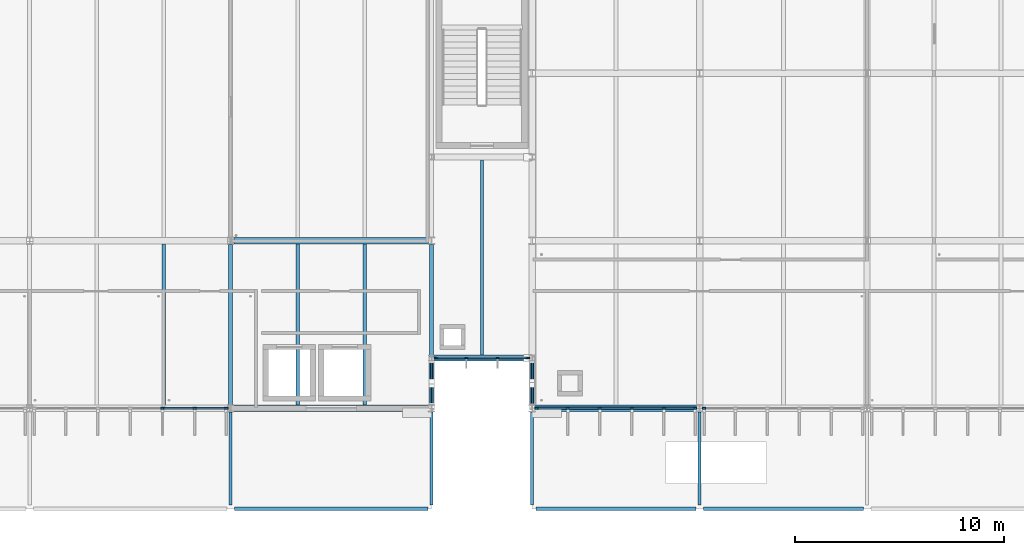
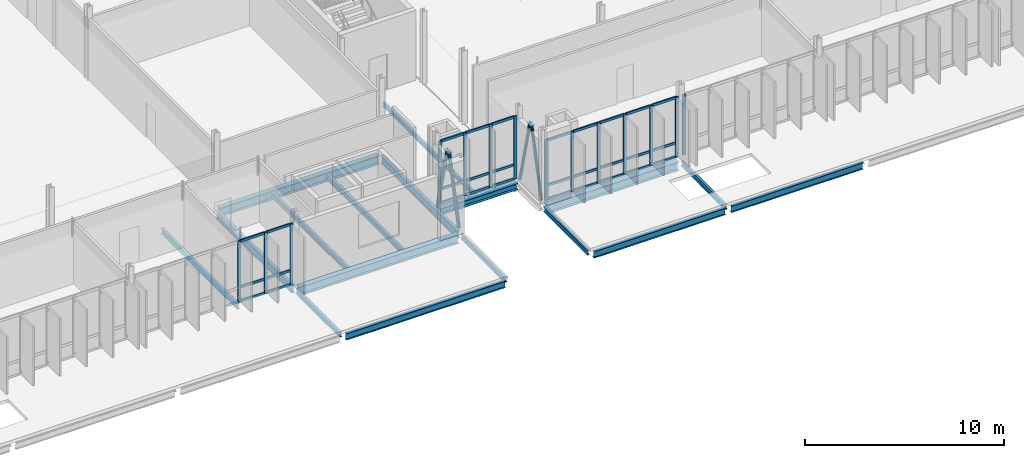
# One storey, part 26 of 107: 48 members, 17 beams, 4 elements without a shape of their own.
"""IFC4 building model written with IfcOpenShell, lengths in metres."""

from ifc_helpers import new_model, si_unit, direction, frame, origin, origin_2d, place, context, subcontext, project, spatial, rectangle, hollow_circle, i_section, extrude, material, material_profile, profile_set, type_object, element, aggregate, save


model = new_model("IFC4")

# Units and contexts
model_context = context("Model", 3, precision=1e-05, world=origin(), true_north=direction((0.0, 1.0)))
body_context = subcontext(model_context, "Body", "Model", "MODEL_VIEW")
ifc_project = project(units=[si_unit("LENGTHUNIT", "METRE"), si_unit("AREAUNIT", "SQUARE_METRE"), si_unit("VOLUMEUNIT", "CUBIC_METRE"), si_unit("PLANEANGLEUNIT", "RADIAN"), si_unit("MASSUNIT", "GRAM", prefix="KILO")], contexts=[model_context])

# Site, building, storey
site_placement = place(None, origin())
site = spatial("IfcSite", under=ifc_project, at=site_placement, CompositionType="ELEMENT")
building_placement = place(site_placement, origin())
building = spatial("IfcBuilding", under=site, at=building_placement, Name="Dunescarp Central Library", CompositionType="ELEMENT")
storey_placement = place(building_placement, frame((0.0, 0.0, 5.10009765625)))
storey = spatial("IfcBuildingStorey", under=building, at=storey_placement, Name="L01", CompositionType="ELEMENT", Elevation=5.10009765625)

# Curtain wall, members
ifc_material_1 = material(Name="Marine-grade anodised aluminium 6063-T6", Category="aluminium")
curtain_wall_type_1 = type_object("IfcCurtainWallType", Name="ARC-CW-STICK", PredefinedType="NOTDEFINED", material=ifc_material_1)
curtain_wall_1_placement = place(storey_placement, origin())
curtain_wall_1 = element("IfcCurtainWall", 1, at=curtain_wall_1_placement, inside=storey, type_object=curtain_wall_type_1, Name="L01 curtain wall CW-V2-050", PredefinedType="NOTDEFINED")
ifc_material_profile_1 = material_profile(ifc_material_1, rectangle(XDim=0.080078125, YDim=0.179931640625, at=origin_2d()), Name="AL 80x180")
ifc_profile_set_1 = profile_set([ifc_material_profile_1], Name="Marine-grade anodised aluminium 6063-T6")
member_type_1 = type_object("IfcMemberType", Name="ARC-CWM-180", PredefinedType="MULLION", material=ifc_profile_set_1)
member_1_placement = place(storey_placement, frame((66.985107421875, 4.800048828125, 0.0), z_axis=(0.0, 0.0, 1.0), x_axis=(0.0, -1.0, 0.0)))
member_1 = element("IfcMember", 2, at=member_1_placement, type_object=member_type_1, Name="CW-V2-050 mullion 1", PredefinedType="MULLION", context=body_context, shape_type="SweptSolid", body=[
    extrude(rectangle(XDim=0.080078125, YDim=0.179931640625, at=origin_2d()), origin(), (0.0, 0.0, 1.0), 3.764892578125),
])
member_2_placement = place(storey_placement, frame((65.4833984375, 4.800048828125, 0.0), z_axis=(0.0, 0.0, 1.0), x_axis=(0.0, -1.0, 0.0)))
member_2 = element("IfcMember", 3, at=member_2_placement, type_object=member_type_1, Name="CW-V2-050 mullion 2", PredefinedType="MULLION", context=body_context, shape_type="SweptSolid", body=[
    extrude(rectangle(XDim=0.080078125, YDim=0.179931640625, at=origin_2d()), origin(), (0.0, 0.0, 1.0), 3.764892578125),
])
member_3_placement = place(storey_placement, frame((63.941650390625, 4.800048828125, 0.0), z_axis=(0.0, 0.0, 1.0), x_axis=(0.0, -1.0, 0.0)))
member_3 = element("IfcMember", 4, at=member_3_placement, type_object=member_type_1, Name="CW-V2-050 mullion 3", PredefinedType="MULLION", context=body_context, shape_type="SweptSolid", body=[
    extrude(rectangle(XDim=0.080078125, YDim=0.179931640625, at=origin_2d()), origin(), (0.0, 0.0, 1.0), 3.764892578125),
])

curtain_wall_2_placement = place(storey_placement, origin())
curtain_wall_2 = element("IfcCurtainWall", 5, at=curtain_wall_2_placement, inside=storey, type_object=curtain_wall_type_1, Name="L01 curtain wall CW-V3-084", PredefinedType="NOTDEFINED")
member_4_placement = place(storey_placement, frame((89.385009765625, 4.800048828125, 0.0), z_axis=(0.0, 0.0, 1.0), x_axis=(0.0, -1.0, 0.0)))
member_4 = element("IfcMember", 6, at=member_4_placement, type_object=member_type_1, Name="CW-V3-084 mullion 1", PredefinedType="MULLION", context=body_context, shape_type="SweptSolid", body=[
    extrude(rectangle(XDim=0.080078125, YDim=0.179931640625, at=origin_2d()), origin(), (0.0, 0.0, 1.0), 3.71484375),
])
member_5_placement = place(storey_placement, frame((87.89501953125, 4.800048828125, 0.0), z_axis=(0.0, 0.0, 1.0), x_axis=(0.0, -1.0, 0.0)))
member_5 = element("IfcMember", 7, at=member_5_placement, type_object=member_type_1, Name="CW-V3-084 mullion 2", PredefinedType="MULLION", context=body_context, shape_type="SweptSolid", body=[
    extrude(rectangle(XDim=0.080078125, YDim=0.179931640625, at=origin_2d()), origin(), (0.0, 0.0, 1.0), 3.71484375),
])
member_6_placement = place(storey_placement, frame((86.364990234375, 4.800048828125, 0.0), z_axis=(0.0, 0.0, 1.0), x_axis=(0.0, -1.0, 0.0)))
member_6 = element("IfcMember", 8, at=member_6_placement, type_object=member_type_1, Name="CW-V3-084 mullion 3", PredefinedType="MULLION", context=body_context, shape_type="SweptSolid", body=[
    extrude(rectangle(XDim=0.080078125, YDim=0.179931640625, at=origin_2d()), origin(), (0.0, 0.0, 1.0), 3.71484375),
])
member_7_placement = place(storey_placement, frame((84.8349609375, 4.800048828125, 0.0), z_axis=(0.0, 0.0, 1.0), x_axis=(0.0, -1.0, 0.0)))
member_7 = element("IfcMember", 9, at=member_7_placement, type_object=member_type_1, Name="CW-V3-084 mullion 4", PredefinedType="MULLION", context=body_context, shape_type="SweptSolid", body=[
    extrude(rectangle(XDim=0.080078125, YDim=0.179931640625, at=origin_2d()), origin(), (0.0, 0.0, 1.0), 3.71484375),
])
member_8_placement = place(storey_placement, frame((83.304931640625, 4.800048828125, 0.0), z_axis=(0.0, 0.0, 1.0), x_axis=(0.0, -1.0, 0.0)))
member_8 = element("IfcMember", 10, at=member_8_placement, type_object=member_type_1, Name="CW-V3-084 mullion 5", PredefinedType="MULLION", context=body_context, shape_type="SweptSolid", body=[
    extrude(rectangle(XDim=0.080078125, YDim=0.179931640625, at=origin_2d()), origin(), (0.0, 0.0, 1.0), 3.71484375),
])
member_9_placement = place(storey_placement, frame((81.81494140625, 4.800048828125, 0.0), z_axis=(0.0, 0.0, 1.0), x_axis=(0.0, -1.0, 0.0)))
member_9 = element("IfcMember", 11, at=member_9_placement, type_object=member_type_1, Name="CW-V3-084 mullion 6", PredefinedType="MULLION", context=body_context, shape_type="SweptSolid", body=[
    extrude(rectangle(XDim=0.080078125, YDim=0.179931640625, at=origin_2d()), origin(), (0.0, 0.0, 1.0), 3.71484375),
])

# Curtain wall, member
curtain_wall_3_placement = place(storey_placement, origin())
curtain_wall_3 = element("IfcCurtainWall", 12, at=curtain_wall_3_placement, inside=storey, type_object=curtain_wall_type_1, Name="L01 curtain wall CW-V3-085", PredefinedType="NOTDEFINED")
member_10_placement = place(storey_placement, frame((89.81494140625, 4.800048828125, 0.0), z_axis=(0.0, 0.0, 1.0), x_axis=(0.0, -1.0, 0.0)))
member_10 = element("IfcMember", 13, at=member_10_placement, type_object=member_type_1, Name="CW-V3-085 mullion 6", PredefinedType="MULLION", context=body_context, shape_type="SweptSolid", body=[
    extrude(rectangle(XDim=0.080078125, YDim=0.179931640625, at=origin_2d()), origin(), (0.0, 0.0, 1.0), 3.71484375),
])
aggregate(curtain_wall_3, [member_10])

# Curtain wall, members
curtain_wall_type_2 = type_object("IfcCurtainWallType", Name="ARC-CW-LINK", PredefinedType="USERDEFINED", material=ifc_material_1)
curtain_wall_4_placement = place(storey_placement, origin())
curtain_wall_4 = element("IfcCurtainWall", 14, at=curtain_wall_4_placement, inside=storey, type_object=curtain_wall_type_2, Name="L01 curtain wall CW-GL2-S-L01", ObjectType="GLAZED_LINK_WALL", PredefinedType="USERDEFINED")
member_11_placement = place(storey_placement, frame((81.385009765625, 7.199951171875, 0.0), z_axis=(0.0, 0.0, 1.0), x_axis=(0.0, -1.0, 0.0)))
member_11 = element("IfcMember", 15, at=member_11_placement, type_object=member_type_1, Name="CW-GL2-S-L01 mullion 1", PredefinedType="MULLION", context=body_context, shape_type="SweptSolid", body=[
    extrude(rectangle(XDim=0.080078125, YDim=0.179931640625, at=origin_2d()), origin(), (0.0, 0.0, 1.0), 3.875),
])
member_12_placement = place(storey_placement, frame((79.941650390625, 7.199951171875, 0.0), z_axis=(0.0, 0.0, 1.0), x_axis=(0.0, -1.0, 0.0)))
member_12 = element("IfcMember", 16, at=member_12_placement, type_object=member_type_1, Name="CW-GL2-S-L01 mullion 2", PredefinedType="MULLION", context=body_context, shape_type="SweptSolid", body=[
    extrude(rectangle(XDim=0.080078125, YDim=0.179931640625, at=origin_2d()), origin(), (0.0, 0.0, 1.0), 3.875),
])
member_13_placement = place(storey_placement, frame((78.458251953125, 7.199951171875, 0.0), z_axis=(0.0, 0.0, 1.0), x_axis=(0.0, -1.0, 0.0)))
member_13 = element("IfcMember", 17, at=member_13_placement, type_object=member_type_1, Name="CW-GL2-S-L01 mullion 3", PredefinedType="MULLION", context=body_context, shape_type="SweptSolid", body=[
    extrude(rectangle(XDim=0.080078125, YDim=0.179931640625, at=origin_2d()), origin(), (0.0, 0.0, 1.0), 3.875),
])
member_14_placement = place(storey_placement, frame((77.014892578125, 7.199951171875, 0.0), z_axis=(0.0, 0.0, 1.0), x_axis=(0.0, -1.0, 0.0)))
member_14 = element("IfcMember", 18, at=member_14_placement, type_object=member_type_1, Name="CW-GL2-S-L01 mullion 4", PredefinedType="MULLION", context=body_context, shape_type="SweptSolid", body=[
    extrude(rectangle(XDim=0.080078125, YDim=0.179931640625, at=origin_2d()), origin(), (0.0, 0.0, 1.0), 3.875),
])

# Member
ifc_material_profile_2 = material_profile(ifc_material_1, rectangle(XDim=0.080078125, YDim=0.14990234375, at=origin_2d()), Name="AL 80x150")
ifc_profile_set_2 = profile_set([ifc_material_profile_2], Name="Marine-grade anodised aluminium 6063-T6")
member_type_2 = type_object("IfcMemberType", Name="ARC-CWT-150", PredefinedType="USERDEFINED", material=ifc_profile_set_2)
member_15_placement = place(storey_placement, frame((66.945068359375, 4.800048828125, 0.039794921875), z_axis=(-1.0, 0.0, 0.0), x_axis=(0.0, -1.0, 0.0)))
member_15 = element("IfcMember", 19, at=member_15_placement, type_object=member_type_2, Name="CW-V2-050 transom 1.1", ObjectType="TRANSOM", PredefinedType="USERDEFINED", context=body_context, shape_type="SweptSolid", body=[
    extrude(rectangle(XDim=0.080078125, YDim=0.14990234375, at=origin_2d()), origin(), (0.0, 0.0, 1.0), 1.421630859375),
])

member_16_placement = place(storey_placement, frame((66.945068359375, 4.800048828125, 0.89990234375), z_axis=(-1.0, 0.0, 0.0), x_axis=(0.0, -1.0, 0.0)))
member_16 = element("IfcMember", 20, at=member_16_placement, type_object=member_type_2, Name="CW-V2-050 transom 1.2", ObjectType="TRANSOM", PredefinedType="USERDEFINED", context=body_context, shape_type="SweptSolid", body=[
    extrude(rectangle(XDim=0.080078125, YDim=0.14990234375, at=origin_2d()), origin(), (0.0, 0.0, 1.0), 1.421630859375),
])

member_17_placement = place(storey_placement, frame((66.945068359375, 4.800048828125, 3.724853515625), z_axis=(-1.0, 0.0, 0.0), x_axis=(0.0, -1.0, 0.0)))
member_17 = element("IfcMember", 21, at=member_17_placement, type_object=member_type_2, Name="CW-V2-050 transom 1.3", ObjectType="TRANSOM", PredefinedType="USERDEFINED", context=body_context, shape_type="SweptSolid", body=[
    extrude(rectangle(XDim=0.080078125, YDim=0.14990234375, at=origin_2d()), origin(), (0.0, 0.0, 1.0), 1.421630859375),
])

member_18_placement = place(storey_placement, frame((65.443359375, 4.800048828125, 0.039794921875), z_axis=(-1.0, 0.0, 0.0), x_axis=(0.0, -1.0, 0.0)))
member_18 = element("IfcMember", 22, at=member_18_placement, type_object=member_type_2, Name="CW-V2-050 transom 2.1", ObjectType="TRANSOM", PredefinedType="USERDEFINED", context=body_context, shape_type="SweptSolid", body=[
    extrude(rectangle(XDim=0.080078125, YDim=0.14990234375, at=origin_2d()), origin(), (0.0, 0.0, 1.0), 1.461669921875),
])

member_19_placement = place(storey_placement, frame((65.443359375, 4.800048828125, 0.89990234375), z_axis=(-1.0, 0.0, 0.0), x_axis=(0.0, -1.0, 0.0)))
member_19 = element("IfcMember", 23, at=member_19_placement, type_object=member_type_2, Name="CW-V2-050 transom 2.2", ObjectType="TRANSOM", PredefinedType="USERDEFINED", context=body_context, shape_type="SweptSolid", body=[
    extrude(rectangle(XDim=0.080078125, YDim=0.14990234375, at=origin_2d()), origin(), (0.0, 0.0, 1.0), 1.461669921875),
])

member_20_placement = place(storey_placement, frame((65.443359375, 4.800048828125, 3.724853515625), z_axis=(-1.0, 0.0, 0.0), x_axis=(0.0, -1.0, 0.0)))
member_20 = element("IfcMember", 24, at=member_20_placement, type_object=member_type_2, Name="CW-V2-050 transom 2.3", ObjectType="TRANSOM", PredefinedType="USERDEFINED", context=body_context, shape_type="SweptSolid", body=[
    extrude(rectangle(XDim=0.080078125, YDim=0.14990234375, at=origin_2d()), origin(), (0.0, 0.0, 1.0), 1.461669921875),
])

aggregate(curtain_wall_1, [member_1, member_2, member_3, member_15, member_16, member_17, member_18, member_19, member_20])

member_21_placement = place(storey_placement, frame((89.344970703125, 4.800048828125, 0.039794921875), z_axis=(-1.0, 0.0, 0.0), x_axis=(0.0, -1.0, 0.0)))
member_21 = element("IfcMember", 25, at=member_21_placement, type_object=member_type_2, Name="CW-V3-084 transom 1.1", ObjectType="TRANSOM", PredefinedType="USERDEFINED", context=body_context, shape_type="SweptSolid", body=[
    extrude(rectangle(XDim=0.080078125, YDim=0.14990234375, at=origin_2d()), origin(), (0.0, 0.0, 1.0), 1.409912109375),
])

member_22_placement = place(storey_placement, frame((89.344970703125, 4.800048828125, 0.89990234375), z_axis=(-1.0, 0.0, 0.0), x_axis=(0.0, -1.0, 0.0)))
member_22 = element("IfcMember", 26, at=member_22_placement, type_object=member_type_2, Name="CW-V3-084 transom 1.2", ObjectType="TRANSOM", PredefinedType="USERDEFINED", context=body_context, shape_type="SweptSolid", body=[
    extrude(rectangle(XDim=0.080078125, YDim=0.14990234375, at=origin_2d()), origin(), (0.0, 0.0, 1.0), 1.409912109375),
])

member_23_placement = place(storey_placement, frame((89.344970703125, 4.800048828125, 3.6748046875), z_axis=(-1.0, 0.0, 0.0), x_axis=(0.0, -1.0, 0.0)))
member_23 = element("IfcMember", 27, at=member_23_placement, type_object=member_type_2, Name="CW-V3-084 transom 1.3", ObjectType="TRANSOM", PredefinedType="USERDEFINED", context=body_context, shape_type="SweptSolid", body=[
    extrude(rectangle(XDim=0.080078125, YDim=0.14990234375, at=origin_2d()), origin(), (0.0, 0.0, 1.0), 1.409912109375),
])

member_24_placement = place(storey_placement, frame((87.85498046875, 4.800048828125, 0.039794921875), z_axis=(-1.0, 0.0, 0.0), x_axis=(0.0, -1.0, 0.0)))
member_24 = element("IfcMember", 28, at=member_24_placement, type_object=member_type_2, Name="CW-V3-084 transom 2.1", ObjectType="TRANSOM", PredefinedType="USERDEFINED", context=body_context, shape_type="SweptSolid", body=[
    extrude(rectangle(XDim=0.080078125, YDim=0.14990234375, at=origin_2d()), origin(), (0.0, 0.0, 1.0), 1.449951171875),
])

member_25_placement = place(storey_placement, frame((87.85498046875, 4.800048828125, 0.89990234375), z_axis=(-1.0, 0.0, 0.0), x_axis=(0.0, -1.0, 0.0)))
member_25 = element("IfcMember", 29, at=member_25_placement, type_object=member_type_2, Name="CW-V3-084 transom 2.2", ObjectType="TRANSOM", PredefinedType="USERDEFINED", context=body_context, shape_type="SweptSolid", body=[
    extrude(rectangle(XDim=0.080078125, YDim=0.14990234375, at=origin_2d()), origin(), (0.0, 0.0, 1.0), 1.449951171875),
])

member_26_placement = place(storey_placement, frame((87.85498046875, 4.800048828125, 3.6748046875), z_axis=(-1.0, 0.0, 0.0), x_axis=(0.0, -1.0, 0.0)))
member_26 = element("IfcMember", 30, at=member_26_placement, type_object=member_type_2, Name="CW-V3-084 transom 2.3", ObjectType="TRANSOM", PredefinedType="USERDEFINED", context=body_context, shape_type="SweptSolid", body=[
    extrude(rectangle(XDim=0.080078125, YDim=0.14990234375, at=origin_2d()), origin(), (0.0, 0.0, 1.0), 1.449951171875),
])

member_27_placement = place(storey_placement, frame((86.324951171875, 4.800048828125, 0.039794921875), z_axis=(-1.0, 0.0, 0.0), x_axis=(0.0, -1.0, 0.0)))
member_27 = element("IfcMember", 31, at=member_27_placement, type_object=member_type_2, Name="CW-V3-084 transom 3.1", ObjectType="TRANSOM", PredefinedType="USERDEFINED", context=body_context, shape_type="SweptSolid", body=[
    extrude(rectangle(XDim=0.080078125, YDim=0.14990234375, at=origin_2d()), origin(), (0.0, 0.0, 1.0), 1.449951171875),
])

member_28_placement = place(storey_placement, frame((86.324951171875, 4.800048828125, 0.89990234375), z_axis=(-1.0, 0.0, 0.0), x_axis=(0.0, -1.0, 0.0)))
member_28 = element("IfcMember", 32, at=member_28_placement, type_object=member_type_2, Name="CW-V3-084 transom 3.2", ObjectType="TRANSOM", PredefinedType="USERDEFINED", context=body_context, shape_type="SweptSolid", body=[
    extrude(rectangle(XDim=0.080078125, YDim=0.14990234375, at=origin_2d()), origin(), (0.0, 0.0, 1.0), 1.449951171875),
])

member_29_placement = place(storey_placement, frame((86.324951171875, 4.800048828125, 3.6748046875), z_axis=(-1.0, 0.0, 0.0), x_axis=(0.0, -1.0, 0.0)))
member_29 = element("IfcMember", 33, at=member_29_placement, type_object=member_type_2, Name="CW-V3-084 transom 3.3", ObjectType="TRANSOM", PredefinedType="USERDEFINED", context=body_context, shape_type="SweptSolid", body=[
    extrude(rectangle(XDim=0.080078125, YDim=0.14990234375, at=origin_2d()), origin(), (0.0, 0.0, 1.0), 1.449951171875),
])

member_30_placement = place(storey_placement, frame((84.794921875, 4.800048828125, 0.039794921875), z_axis=(-1.0, 0.0, 0.0), x_axis=(0.0, -1.0, 0.0)))
member_30 = element("IfcMember", 34, at=member_30_placement, type_object=member_type_2, Name="CW-V3-084 transom 4.1", ObjectType="TRANSOM", PredefinedType="USERDEFINED", context=body_context, shape_type="SweptSolid", body=[
    extrude(rectangle(XDim=0.080078125, YDim=0.14990234375, at=origin_2d()), origin(), (0.0, 0.0, 1.0), 1.449951171875),
])

member_31_placement = place(storey_placement, frame((84.794921875, 4.800048828125, 0.89990234375), z_axis=(-1.0, 0.0, 0.0), x_axis=(0.0, -1.0, 0.0)))
member_31 = element("IfcMember", 35, at=member_31_placement, type_object=member_type_2, Name="CW-V3-084 transom 4.2", ObjectType="TRANSOM", PredefinedType="USERDEFINED", context=body_context, shape_type="SweptSolid", body=[
    extrude(rectangle(XDim=0.080078125, YDim=0.14990234375, at=origin_2d()), origin(), (0.0, 0.0, 1.0), 1.449951171875),
])

member_32_placement = place(storey_placement, frame((84.794921875, 4.800048828125, 3.6748046875), z_axis=(-1.0, 0.0, 0.0), x_axis=(0.0, -1.0, 0.0)))
member_32 = element("IfcMember", 36, at=member_32_placement, type_object=member_type_2, Name="CW-V3-084 transom 4.3", ObjectType="TRANSOM", PredefinedType="USERDEFINED", context=body_context, shape_type="SweptSolid", body=[
    extrude(rectangle(XDim=0.080078125, YDim=0.14990234375, at=origin_2d()), origin(), (0.0, 0.0, 1.0), 1.449951171875),
])

member_33_placement = place(storey_placement, frame((83.264892578125, 4.800048828125, 0.039794921875), z_axis=(-1.0, 0.0, 0.0), x_axis=(0.0, -1.0, 0.0)))
member_33 = element("IfcMember", 37, at=member_33_placement, type_object=member_type_2, Name="CW-V3-084 transom 5.1", ObjectType="TRANSOM", PredefinedType="USERDEFINED", context=body_context, shape_type="SweptSolid", body=[
    extrude(rectangle(XDim=0.080078125, YDim=0.14990234375, at=origin_2d()), origin(), (0.0, 0.0, 1.0), 1.409912109375),
])

member_34_placement = place(storey_placement, frame((83.264892578125, 4.800048828125, 0.89990234375), z_axis=(-1.0, 0.0, 0.0), x_axis=(0.0, -1.0, 0.0)))
member_34 = element("IfcMember", 38, at=member_34_placement, type_object=member_type_2, Name="CW-V3-084 transom 5.2", ObjectType="TRANSOM", PredefinedType="USERDEFINED", context=body_context, shape_type="SweptSolid", body=[
    extrude(rectangle(XDim=0.080078125, YDim=0.14990234375, at=origin_2d()), origin(), (0.0, 0.0, 1.0), 1.409912109375),
])

member_35_placement = place(storey_placement, frame((83.264892578125, 4.800048828125, 3.6748046875), z_axis=(-1.0, 0.0, 0.0), x_axis=(0.0, -1.0, 0.0)))
member_35 = element("IfcMember", 39, at=member_35_placement, type_object=member_type_2, Name="CW-V3-084 transom 5.3", ObjectType="TRANSOM", PredefinedType="USERDEFINED", context=body_context, shape_type="SweptSolid", body=[
    extrude(rectangle(XDim=0.080078125, YDim=0.14990234375, at=origin_2d()), origin(), (0.0, 0.0, 1.0), 1.409912109375),
])

aggregate(curtain_wall_2, [member_4, member_5, member_6, member_7, member_8, member_9, member_21, member_22, member_23, member_24, member_25, member_26, member_27, member_28, member_29, member_30, member_31, member_32, member_33, member_34, member_35])

member_36_placement = place(storey_placement, frame((81.344970703125, 7.199951171875, 0.039794921875), z_axis=(-1.0, 0.0, 0.0), x_axis=(0.0, -1.0, 0.0)))
member_36 = element("IfcMember", 40, at=member_36_placement, type_object=member_type_2, Name="CW-GL2-S-L01 transom 1.1", ObjectType="TRANSOM", PredefinedType="USERDEFINED", context=body_context, shape_type="SweptSolid", body=[
    extrude(rectangle(XDim=0.080078125, YDim=0.14990234375, at=origin_2d()), origin(), (0.0, 0.0, 1.0), 1.36328125),
])

member_37_placement = place(storey_placement, frame((81.344970703125, 7.199951171875, 0.89990234375), z_axis=(-1.0, 0.0, 0.0), x_axis=(0.0, -1.0, 0.0)))
member_37 = element("IfcMember", 41, at=member_37_placement, type_object=member_type_2, Name="CW-GL2-S-L01 transom 1.2", ObjectType="TRANSOM", PredefinedType="USERDEFINED", context=body_context, shape_type="SweptSolid", body=[
    extrude(rectangle(XDim=0.080078125, YDim=0.14990234375, at=origin_2d()), origin(), (0.0, 0.0, 1.0), 1.36328125),
])

member_38_placement = place(storey_placement, frame((81.344970703125, 7.199951171875, 3.8349609375), z_axis=(-1.0, 0.0, 0.0), x_axis=(0.0, -1.0, 0.0)))
member_38 = element("IfcMember", 42, at=member_38_placement, type_object=member_type_2, Name="CW-GL2-S-L01 transom 1.3", ObjectType="TRANSOM", PredefinedType="USERDEFINED", context=body_context, shape_type="SweptSolid", body=[
    extrude(rectangle(XDim=0.080078125, YDim=0.14990234375, at=origin_2d()), origin(), (0.0, 0.0, 1.0), 1.36328125),
])

member_39_placement = place(storey_placement, frame((79.901611328125, 7.199951171875, 0.039794921875), z_axis=(-1.0, 0.0, 0.0), x_axis=(0.0, -1.0, 0.0)))
member_39 = element("IfcMember", 43, at=member_39_placement, type_object=member_type_2, Name="CW-GL2-S-L01 transom 2.1", ObjectType="TRANSOM", PredefinedType="USERDEFINED", context=body_context, shape_type="SweptSolid", body=[
    extrude(rectangle(XDim=0.080078125, YDim=0.14990234375, at=origin_2d()), origin(), (0.0, 0.0, 1.0), 1.4033203125),
])

member_40_placement = place(storey_placement, frame((79.901611328125, 7.199951171875, 0.89990234375), z_axis=(-1.0, 0.0, 0.0), x_axis=(0.0, -1.0, 0.0)))
member_40 = element("IfcMember", 44, at=member_40_placement, type_object=member_type_2, Name="CW-GL2-S-L01 transom 2.2", ObjectType="TRANSOM", PredefinedType="USERDEFINED", context=body_context, shape_type="SweptSolid", body=[
    extrude(rectangle(XDim=0.080078125, YDim=0.14990234375, at=origin_2d()), origin(), (0.0, 0.0, 1.0), 1.4033203125),
])

member_41_placement = place(storey_placement, frame((79.901611328125, 7.199951171875, 3.8349609375), z_axis=(-1.0, 0.0, 0.0), x_axis=(0.0, -1.0, 0.0)))
member_41 = element("IfcMember", 45, at=member_41_placement, type_object=member_type_2, Name="CW-GL2-S-L01 transom 2.3", ObjectType="TRANSOM", PredefinedType="USERDEFINED", context=body_context, shape_type="SweptSolid", body=[
    extrude(rectangle(XDim=0.080078125, YDim=0.14990234375, at=origin_2d()), origin(), (0.0, 0.0, 1.0), 1.4033203125),
])

member_42_placement = place(storey_placement, frame((78.418212890625, 7.199951171875, 0.039794921875), z_axis=(-1.0, 0.0, 0.0), x_axis=(0.0, -1.0, 0.0)))
member_42 = element("IfcMember", 46, at=member_42_placement, type_object=member_type_2, Name="CW-GL2-S-L01 transom 3.1", ObjectType="TRANSOM", PredefinedType="USERDEFINED", context=body_context, shape_type="SweptSolid", body=[
    extrude(rectangle(XDim=0.080078125, YDim=0.14990234375, at=origin_2d()), origin(), (0.0, 0.0, 1.0), 1.36328125),
])

member_43_placement = place(storey_placement, frame((78.418212890625, 7.199951171875, 0.89990234375), z_axis=(-1.0, 0.0, 0.0), x_axis=(0.0, -1.0, 0.0)))
member_43 = element("IfcMember", 47, at=member_43_placement, type_object=member_type_2, Name="CW-GL2-S-L01 transom 3.2", ObjectType="TRANSOM", PredefinedType="USERDEFINED", context=body_context, shape_type="SweptSolid", body=[
    extrude(rectangle(XDim=0.080078125, YDim=0.14990234375, at=origin_2d()), origin(), (0.0, 0.0, 1.0), 1.36328125),
])

member_44_placement = place(storey_placement, frame((78.418212890625, 7.199951171875, 3.8349609375), z_axis=(-1.0, 0.0, 0.0), x_axis=(0.0, -1.0, 0.0)))
member_44 = element("IfcMember", 48, at=member_44_placement, type_object=member_type_2, Name="CW-GL2-S-L01 transom 3.3", ObjectType="TRANSOM", PredefinedType="USERDEFINED", context=body_context, shape_type="SweptSolid", body=[
    extrude(rectangle(XDim=0.080078125, YDim=0.14990234375, at=origin_2d()), origin(), (0.0, 0.0, 1.0), 1.36328125),
])

aggregate(curtain_wall_4, [member_11, member_12, member_13, member_14, member_36, member_37, member_38, member_39, member_40, member_41, member_42, member_43, member_44])

# Beams
ifc_material_2 = material(Name="Steel S355JR", Category="steel")
ifc_material_profile_3 = material_profile(ifc_material_2, i_section(OverallWidth=0.300048828125, OverallDepth=0.389892578125, WebThickness=0.010986328125, FlangeThickness=0.01904296875, at=origin_2d()), Name="HEA 400")
ifc_profile_set_3 = profile_set([ifc_material_profile_3], Name="Steel S355JR")
beam_type_1 = type_object("IfcBeamType", Name="STR-BM-HEA400", PredefinedType="BEAM", material=ifc_profile_set_3)
beam_1_placement = place(storey_placement, frame((76.927978515625, 7.199951171875, -0.4150390625), z_axis=(1.0, 0.0, 0.0), x_axis=(0.0, 1.0, 0.0)))
element("IfcBeam", 49, at=beam_1_placement, inside=storey, type_object=beam_type_1, Name="L01 girder BM-L01-1241", PredefinedType="BEAM", context=body_context, shape_type="SweptSolid", body=[
    extrude(i_section(OverallWidth=0.300048828125, OverallDepth=0.389892578125, WebThickness=0.010986328125, FlangeThickness=0.01904296875, at=origin_2d()), origin(), (0.0, 0.0, 1.0), 4.5439453125),
])
ifc_material_profile_4 = material_profile(ifc_material_2, i_section(OverallWidth=0.300048828125, OverallDepth=0.550048828125, WebThickness=0.014892578125, FlangeThickness=0.029052734375, at=origin_2d()), Name="HEB 550")
ifc_profile_set_4 = profile_set([ifc_material_profile_4], Name="Steel S355JR")
beam_type_2 = type_object("IfcBeamType", Name="STR-BM-HEB550", PredefinedType="BEAM", material=ifc_profile_set_4)
beam_2_placement = place(storey_placement, frame((81.75390625, 4.800048828125, -0.4951171875), z_axis=(1.0, 0.0, 0.0), x_axis=(0.0, 1.0, 0.0)))
element("IfcBeam", 50, at=beam_2_placement, inside=storey, type_object=beam_type_2, Name="L01 girder BM-L01-0655", PredefinedType="BEAM", context=body_context, shape_type="SweptSolid", body=[
    extrude(i_section(OverallWidth=0.300048828125, OverallDepth=0.550048828125, WebThickness=0.014892578125, FlangeThickness=0.029052734375, at=origin_2d()), origin(), (0.0, 0.0, 1.0), 7.692138671875),
])
ifc_material_profile_5 = material_profile(ifc_material_2, i_section(OverallWidth=0.19287109375, OverallDepth=0.46728515625, WebThickness=0.011474609375, FlangeThickness=0.01953125, at=origin_2d()), Name="UB 457x191x98")
ifc_profile_set_5 = profile_set([ifc_material_profile_5], Name="Steel S355JR")
beam_type_3 = type_object("IfcBeamType", Name="STR-BM-IPE450", PredefinedType="BEAM", material=ifc_profile_set_5)
for number, where, z_axis, x_axis, name in (
    (51, (67.199951171875, 4.967041015625, -0.4541015625), (0.0, 1.0, 0.0), (-1.0, 0.0, 0.0), "L01 girder BM-L01-0371"),
    (52, (76.800048828125, 4.967041015625, -0.4541015625), (0.0, 1.0, 0.0), (-1.0, 0.0, 0.0), "L01 girder BM-L01-0388"),
):
    element("IfcBeam", number, at=place(storey_placement, frame(where, z_axis=z_axis, x_axis=x_axis)), inside=storey, type_object=beam_type_3, Name=name, PredefinedType="BEAM", context=body_context, shape_type="SweptSolid", body=[
        extrude(i_section(OverallWidth=0.19287109375, OverallDepth=0.46728515625, WebThickness=0.011474609375, FlangeThickness=0.01953125, at=origin_2d()), origin(), (0.0, 0.0, 1.0), 7.666015625),
    ])
ifc_material_profile_6 = material_profile(ifc_material_2, i_section(OverallWidth=0.300048828125, OverallDepth=0.5400390625, WebThickness=0.012451171875, FlangeThickness=0.02392578125, at=origin_2d()), Name="HEA 550")
ifc_profile_set_6 = profile_set([ifc_material_profile_6], Name="Steel S355JR")
beam_type_4 = type_object("IfcBeamType", Name="STR-BM-IPE500", PredefinedType="BEAM", material=ifc_profile_set_6)
for number, where, z_axis, x_axis, name in (
    (53, (67.35400390625, 4.800048828125, -0.489990234375), (1.0, 0.0, 0.0), (0.0, 1.0, 0.0), "L01 girder BM-L01-0386"),
    (54, (67.35400390625, 12.800048828125, -0.489990234375), (1.0, 0.0, 0.0), (0.0, 1.0, 0.0), "L01 girder BM-L01-0387"),
):
    element("IfcBeam", number, at=place(storey_placement, frame(where, z_axis=z_axis, x_axis=x_axis)), inside=storey, type_object=beam_type_4, Name=name, PredefinedType="BEAM", context=body_context, shape_type="SweptSolid", body=[
        extrude(i_section(OverallWidth=0.300048828125, OverallDepth=0.5400390625, WebThickness=0.012451171875, FlangeThickness=0.02392578125, at=origin_2d()), origin(), (0.0, 0.0, 1.0), 9.2919921875),
    ])

# Members
ifc_material_3 = material(Name="Steel S355J0", Category="steel")
ifc_material_profile_7 = material_profile(ifc_material_3, hollow_circle(Radius=0.084228515625, WallThickness=0.008056640625, at=origin_2d()), Name="CHS 168.3x8")
ifc_profile_set_7 = profile_set([ifc_material_profile_7], Name="Steel S355J0")
member_type_3 = type_object("IfcMemberType", Name="STR-BR-168", PredefinedType="BRACE", material=ifc_profile_set_7)
for number, where, z_axis, x_axis, name in (
    (55, (81.60009765625, 4.919921875, 0.0), (0.0, 0.23972532699, 0.970840752956), (-1.0, 0.0, 0.0), "L01 concentric brace BR-L01-035"),
    (56, (81.60009765625, 7.080078125, 0.0), (0.0, -0.23972532699, 0.970840752956), (1.0, 0.0, 0.0), "L01 concentric brace BR-L01-036"),
):
    element("IfcMember", number, at=place(storey_placement, frame(where, z_axis=z_axis, x_axis=x_axis)), inside=storey, type_object=member_type_3, Name=name, PredefinedType="BRACE", context=body_context, shape_type="SweptSolid", body=[
        extrude(hollow_circle(Radius=0.084228515625, WallThickness=0.008056640625, at=origin_2d()), origin(), (0.0, 0.0, 1.0), 4.17138671875),
    ])
ifc_material_profile_8 = material_profile(ifc_material_3, hollow_circle(Radius=0.096923828125, WallThickness=0.010009765625, at=origin_2d()), Name="CHS 193.7x10")
ifc_profile_set_8 = profile_set([ifc_material_profile_8], Name="Steel S355J0")
member_type_4 = type_object("IfcMemberType", Name="STR-BR-193", PredefinedType="BRACE", material=ifc_profile_set_8)
for number, where, z_axis, x_axis, name in (
    (57, (76.800048828125, 4.919921875, 0.0), (0.0, 0.23972532699, 0.970840752956), (-1.0, 0.0, 0.0), "L01 concentric brace BR-L01-025"),
    (58, (76.800048828125, 7.080078125, 0.0), (0.0, -0.23972532699, 0.970840752956), (1.0, 0.0, 0.0), "L01 concentric brace BR-L01-026"),
):
    element("IfcMember", number, at=place(storey_placement, frame(where, z_axis=z_axis, x_axis=x_axis)), inside=storey, type_object=member_type_4, Name=name, PredefinedType="BRACE", context=body_context, shape_type="SweptSolid", body=[
        extrude(hollow_circle(Radius=0.096923828125, WallThickness=0.010009765625, at=origin_2d()), origin(), (0.0, 0.0, 1.0), 4.17138671875),
    ])

# Beams
ifc_material_profile_9 = material_profile(ifc_material_2, i_section(OverallWidth=0.135009765625, OverallDepth=0.27001953125, WebThickness=0.006591796875, FlangeThickness=0.01025390625, at=origin_2d()), Name="IPE 270")
ifc_profile_set_9 = profile_set([ifc_material_profile_9], Name="Steel S355JR")
beam_type_5 = type_object("IfcBeamType", Name="STR-JS-IPE270", PredefinedType="JOIST", material=ifc_profile_set_9)
beam_3_placement = place(storey_placement, frame((79.199951171875, 7.347900390625, -0.35498046875), z_axis=(0.0, 1.0, 0.0), x_axis=(-1.0, 0.0, 0.0)))
element("IfcBeam", 59, at=beam_3_placement, inside=storey, type_object=beam_type_5, Name="L01 joist JS-L01-1243", PredefinedType="JOIST", context=body_context, shape_type="SweptSolid", body=[
    extrude(i_section(OverallWidth=0.135009765625, OverallDepth=0.27001953125, WebThickness=0.006591796875, FlangeThickness=0.01025390625, at=origin_2d()), origin(), (0.0, 0.0, 1.0), 9.30419921875),
])
ifc_material_profile_10 = material_profile(ifc_material_2, i_section(OverallWidth=0.14990234375, OverallDepth=0.300048828125, WebThickness=0.007080078125, FlangeThickness=0.0107421875, at=origin_2d()), Name="IPE 300")
ifc_profile_set_10 = profile_set([ifc_material_profile_10], Name="Steel S355JR")
beam_type_6 = type_object("IfcBeamType", Name="STR-JS-IPE300", PredefinedType="JOIST", material=ifc_profile_set_10)
for number, where, z_axis, x_axis, name in (
    (60, (67.199951171875, 0.175048828125, -0.35009765625), (0.0, 1.0, 0.0), (-1.0, 0.0, 0.0), "Colonnade tie beam BM-L01-1452"),
    (61, (76.800048828125, 0.175048828125, -0.35009765625), (0.0, 1.0, 0.0), (-1.0, 0.0, 0.0), "Colonnade tie beam BM-L01-1453"),
    (62, (81.60009765625, 0.175048828125, -0.35009765625), (0.0, 1.0, 0.0), (-1.0, 0.0, 0.0), "Colonnade tie beam BM-L01-1459"),
    (63, (89.60009765625, 0.175048828125, -0.35009765625), (0.0, 1.0, 0.0), (-1.0, 0.0, 0.0), "Colonnade tie beam BM-L01-1460"),
):
    element("IfcBeam", number, at=place(storey_placement, frame(where, z_axis=z_axis, x_axis=x_axis)), inside=storey, type_object=beam_type_6, Name=name, PredefinedType="JOIST", context=body_context, shape_type="SweptSolid", body=[
        extrude(i_section(OverallWidth=0.14990234375, OverallDepth=0.300048828125, WebThickness=0.007080078125, FlangeThickness=0.0107421875, at=origin_2d()), origin(), (0.0, 0.0, 1.0), 4.4580078125),
    ])
ifc_material_profile_11 = material_profile(ifc_material_2, i_section(OverallWidth=0.159912109375, OverallDepth=0.330078125, WebThickness=0.007568359375, FlangeThickness=0.011474609375, at=origin_2d()), Name="IPE 330")
ifc_profile_set_11 = profile_set([ifc_material_profile_11], Name="Steel S355JR")
beam_type_7 = type_object("IfcBeamType", Name="STR-JS-IPE330", PredefinedType="JOIST", material=ifc_profile_set_11)
for number, where, z_axis, x_axis, name in (
    (64, (64.0, 4.947998046875, -0.385009765625), (0.0, 1.0, 0.0), (-1.0, 0.0, 0.0), "L01 joist JS-L01-0373"),
    (65, (70.39990234375, 4.947998046875, -0.385009765625), (0.0, 1.0, 0.0), (-1.0, 0.0, 0.0), "L01 joist JS-L01-0389"),
    (66, (73.60009765625, 4.947998046875, -0.385009765625), (0.0, 1.0, 0.0), (-1.0, 0.0, 0.0), "L01 joist JS-L01-0390"),
):
    element("IfcBeam", number, at=place(storey_placement, frame(where, z_axis=z_axis, x_axis=x_axis)), inside=storey, type_object=beam_type_7, Name=name, PredefinedType="JOIST", context=body_context, shape_type="SweptSolid", body=[
        extrude(i_section(OverallWidth=0.159912109375, OverallDepth=0.330078125, WebThickness=0.007568359375, FlangeThickness=0.011474609375, at=origin_2d()), origin(), (0.0, 0.0, 1.0), 7.7041015625),
    ])
ifc_material_profile_12 = material_profile(ifc_material_2, i_section(OverallWidth=0.177978515625, OverallDepth=0.406494140625, WebThickness=0.0078125, FlangeThickness=0.0126953125, at=origin_2d()), Name="UB 406x178x60")
ifc_profile_set_12 = profile_set([ifc_material_profile_12], Name="Steel S355JR")
beam_type_8 = type_object("IfcBeamType", Name="STR-SP-UB406", PredefinedType="SPANDREL", material=ifc_profile_set_12)
beam_4_placement = place(storey_placement, frame((67.375, 0.0, -0.403076171875), z_axis=(1.0, 0.0, 0.0), x_axis=(0.0, 1.0, 0.0)))
element("IfcBeam", 67, at=beam_4_placement, inside=storey, type_object=beam_type_8, Name="Colonnade spandrel SP-L01-1448", PredefinedType="SPANDREL", context=body_context, shape_type="SweptSolid", body=[
    extrude(i_section(OverallWidth=0.177978515625, OverallDepth=0.406494140625, WebThickness=0.0078125, FlangeThickness=0.0126953125, at=origin_2d()), origin(), (0.0, 0.0, 1.0), 9.25),
])
for number, where, z_axis, x_axis, name in (
    (68, (81.77490234375, 0.0, -0.403076171875), (1.0, 0.0, 0.0), (0.0, 1.0, 0.0), "Colonnade spandrel SP-L01-1454"),
    (69, (89.77490234375, 0.0, -0.403076171875), (1.0, 0.0, 0.0), (0.0, 1.0, 0.0), "Colonnade spandrel SP-L01-1455"),
):
    element("IfcBeam", number, at=place(storey_placement, frame(where, z_axis=z_axis, x_axis=x_axis)), inside=storey, type_object=beam_type_8, Name=name, PredefinedType="SPANDREL", context=body_context, shape_type="SweptSolid", body=[
        extrude(i_section(OverallWidth=0.177978515625, OverallDepth=0.406494140625, WebThickness=0.0078125, FlangeThickness=0.0126953125, at=origin_2d()), origin(), (0.0, 0.0, 1.0), 7.650146484375),
    ])

save(model, "model.ifc")
